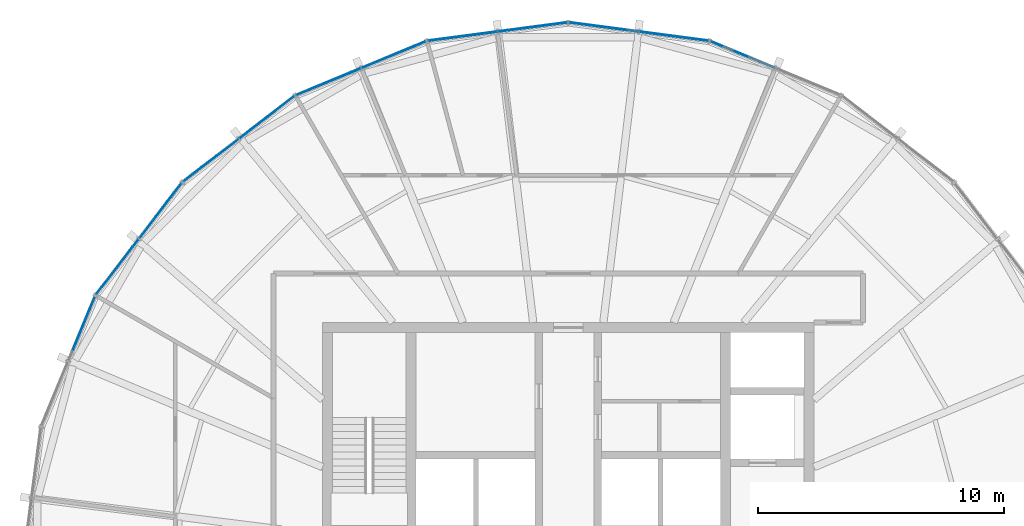
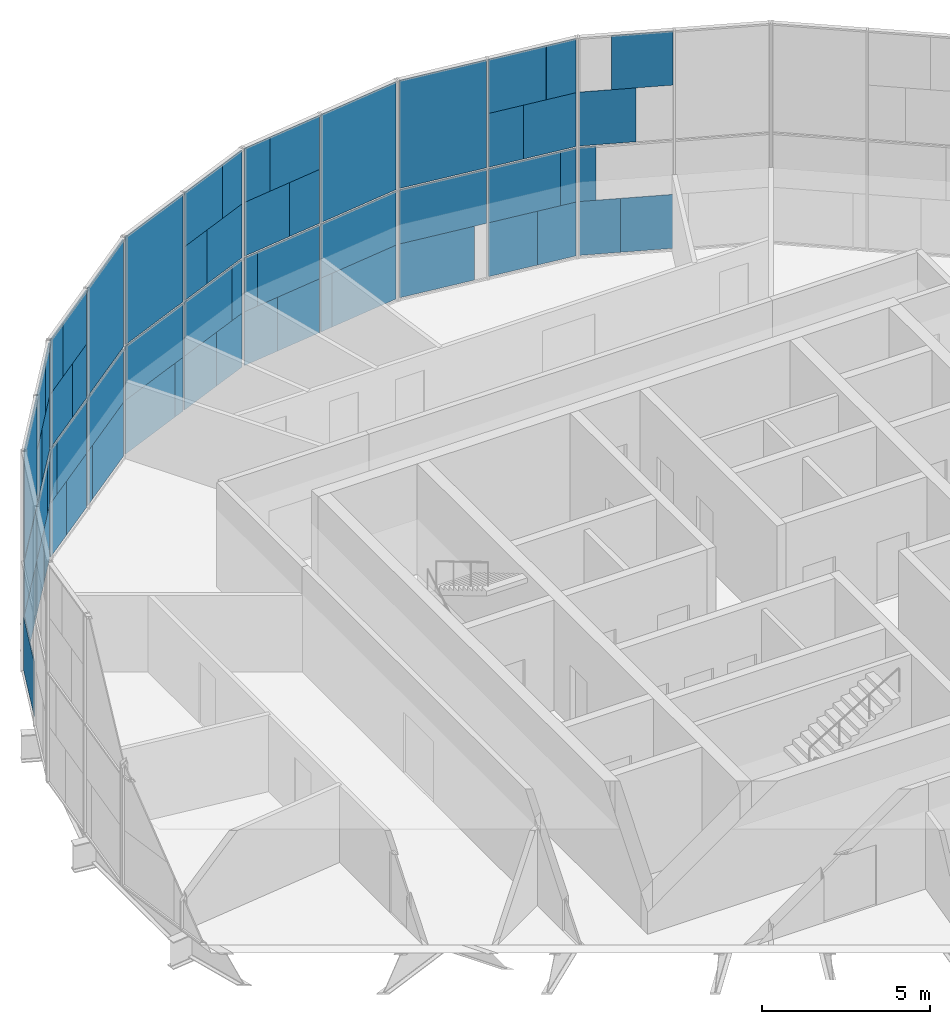
# One storey, part 14 of 19: 65 plates, 7 elements without a shape of their own.
"""IFC4 building model written with IfcOpenShell, lengths in metres."""

from ifc_helpers import new_model, si_unit, direction, frame, origin, origin_2d, place, context, subcontext, project, spatial, rectangle, extrude, material, layer, layer_set, type_object, element, aggregate, save


model = new_model("IFC4")

# Units and contexts
model_context = context("Model", 3, precision=1e-05, world=origin(), true_north=direction((0.0, 1.0)))
body_context = subcontext(model_context, "Body", "Model", "MODEL_VIEW")
ifc_project = project(units=[si_unit("LENGTHUNIT", "METRE"), si_unit("AREAUNIT", "SQUARE_METRE"), si_unit("VOLUMEUNIT", "CUBIC_METRE"), si_unit("PLANEANGLEUNIT", "RADIAN"), si_unit("MASSUNIT", "GRAM", prefix="KILO")], contexts=[model_context])

# Site, building, storey
site_placement = place(None, origin())
site = spatial("IfcSite", under=ifc_project, at=site_placement, CompositionType="ELEMENT")
building_placement = place(site_placement, origin())
building = spatial("IfcBuilding", under=site, at=building_placement, Name="Golbaran Civic Tower", CompositionType="ELEMENT")
storey_placement = place(building_placement, frame((0.0, 0.0, 256.0)))
storey = spatial("IfcBuildingStorey", under=building, at=storey_placement, Name="L62", CompositionType="ELEMENT", Elevation=256.0)

# Curtain wall, plates
ifc_material_1 = material(Name="Aluminium and glass", Category="aluminium")
curtain_wall_type = type_object("IfcCurtainWallType", Name="INNER SKIN CURTAIN WALL EXECUTIVE", PredefinedType="NOTDEFINED", material=ifc_material_1)
curtain_wall_1_placement = place(storey_placement, origin())
curtain_wall_1 = element("IfcCurtainWall", 1, at=curtain_wall_1_placement, inside=storey, type_object=curtain_wall_type, Name="Inner skin L62 facet 5 CW2", ObjectType="INNER SKIN", PredefinedType="USERDEFINED")
ifc_material_2 = material(Name="Clear insulating glass", Category="glass")
ifc_layer_1 = layer(ifc_material_2, 0.031982421875, Name="Clear insulating glass")
ifc_layer_set_1 = layer_set([ifc_layer_1], Name="Clear insulating glass")
plate_type_1 = type_object("IfcPlateType", Name="INNER SKIN CURTAIN WALL EXECUTIVE GLAZED PANEL", PredefinedType="CURTAIN_PANEL", material=ifc_layer_set_1)
plate_1_placement = place(storey_placement, frame((6.37158203125, 21.1982421875, 0.06005859375), z_axis=(0.0, 0.0, 1.0), x_axis=(-0.923879532511, 0.382683432365, 0.0)))
plate_1 = element("IfcPlate", 2, at=plate_1_placement, type_object=plate_type_1, Name="CW2 panel 2.1 part 2", PredefinedType="CURTAIN_PANEL", context=body_context, shape_type="SweptSolid", body=[
    extrude(rectangle(XDim=1.227294921875, YDim=0.031982421875, at=origin_2d()), origin(), (0.0, 0.0, 1.0), 1.955078125),
])
plate_2_placement = place(storey_placement, frame((6.02978515625, 21.33984375, 2.014892578125), z_axis=(0.0, 0.0, 1.0), x_axis=(-0.923879532511, 0.382683432365, 0.0)))
plate_2 = element("IfcPlate", 3, at=plate_2_placement, type_object=plate_type_1, Name="CW2 panel 2.1 part 4", PredefinedType="CURTAIN_PANEL", context=body_context, shape_type="SweptSolid", body=[
    extrude(rectangle(XDim=0.4873046875, YDim=0.031982421875, at=origin_2d()), origin(), (0.0, 0.0, 1.0), 1.955078125),
])
plate_3_placement = place(storey_placement, frame((7.542236328125, 20.71337890625, 5.98486328125), z_axis=(0.0, 0.0, 1.0), x_axis=(-0.923879532511, 0.382683432365, 0.0)))
plate_3 = element("IfcPlate", 4, at=plate_3_placement, type_object=plate_type_1, Name="CW2 panel 2.2 part 3", PredefinedType="CURTAIN_PANEL", context=body_context, shape_type="SweptSolid", body=[
    extrude(rectangle(XDim=1.85693359375, YDim=0.031982421875, at=origin_2d()), origin(), (0.0, 0.0, 1.0), 1.955078125),
])

curtain_wall_2_placement = place(storey_placement, origin())
curtain_wall_2 = element("IfcCurtainWall", 5, at=curtain_wall_2_placement, inside=storey, type_object=curtain_wall_type, Name="Inner skin L62 facet 6 CW2", ObjectType="INNER SKIN", PredefinedType="USERDEFINED")
plate_4_placement = place(storey_placement, frame((5.081298828125, 21.5439453125, 0.06005859375), z_axis=(0.0, 0.0, 1.0), x_axis=(-0.991444861367, 0.130526192272, 0.0)))
plate_4 = element("IfcPlate", 6, at=plate_4_placement, type_object=plate_type_1, Name="CW2 panel 1.1 part 1", PredefinedType="CURTAIN_PANEL", context=body_context, shape_type="SweptSolid", body=[
    extrude(rectangle(XDim=1.22705078125, YDim=0.031982421875, at=origin_2d()), origin(), (0.0, 0.0, 1.0), 1.955078125),
])
plate_5_placement = place(storey_placement, frame((5.44775390625, 21.495849609375, 2.014892578125), z_axis=(0.0, 0.0, 1.0), x_axis=(-0.991444861367, 0.130526192272, 0.0)))
plate_5 = element("IfcPlate", 7, at=plate_5_placement, type_object=plate_type_1, Name="CW2 panel 1.1 part 3", PredefinedType="CURTAIN_PANEL", context=body_context, shape_type="SweptSolid", body=[
    extrude(rectangle(XDim=0.488037109375, YDim=0.031982421875, at=origin_2d()), origin(), (0.0, 0.0, 1.0), 1.955078125),
])
plate_6_placement = place(storey_placement, frame((3.458251953125, 21.7578125, 4.030029296875), z_axis=(0.0, 0.0, 1.0), x_axis=(-0.991444861367, 0.130526192272, 0.0)))
plate_6 = element("IfcPlate", 8, at=plate_6_placement, type_object=plate_type_1, Name="CW2 panel 1.2 part 2", PredefinedType="CURTAIN_PANEL", context=body_context, shape_type="SweptSolid", body=[
    extrude(rectangle(XDim=1.117431640625, YDim=0.031982421875, at=origin_2d()), origin(), (0.0, 0.0, 1.0), 1.955078125),
])
plate_7_placement = place(storey_placement, frame((3.824951171875, 21.70947265625, 5.98486328125), z_axis=(0.0, 0.0, 1.0), x_axis=(-0.991444861367, 0.130526192272, 0.0)))
plate_7 = element("IfcPlate", 9, at=plate_7_placement, type_object=plate_type_1, Name="CW2 panel 1.2 part 4", PredefinedType="CURTAIN_PANEL", context=body_context, shape_type="SweptSolid", body=[
    extrude(rectangle(XDim=1.857421875, YDim=0.031982421875, at=origin_2d()), origin(), (0.0, 0.0, 1.0), 1.955078125),
])
plate_8_placement = place(storey_placement, frame((1.25390625, 22.0478515625, 0.06005859375), z_axis=(0.0, 0.0, 1.0), x_axis=(-0.991444861367, 0.130526192272, 0.0)))
plate_8 = element("IfcPlate", 10, at=plate_8_placement, type_object=plate_type_1, Name="CW2 panel 2.1 part 2", PredefinedType="CURTAIN_PANEL", context=body_context, shape_type="SweptSolid", body=[
    extrude(rectangle(XDim=2.409423828125, YDim=0.031982421875, at=origin_2d()), origin(), (0.0, 0.0, 1.0), 1.955078125),
])
plate_9_placement = place(storey_placement, frame((1.4521484375, 22.021728515625, 2.014892578125), z_axis=(0.0, 0.0, 1.0), x_axis=(-0.991444861367, 0.130526192272, 0.0)))
plate_9 = element("IfcPlate", 11, at=plate_9_placement, type_object=plate_type_1, Name="CW2 panel 2.1 part 3", PredefinedType="CURTAIN_PANEL", context=body_context, shape_type="SweptSolid", body=[
    extrude(rectangle(XDim=2.809326171875, YDim=0.031982421875, at=origin_2d()), origin(), (0.0, 0.0, 1.0), 1.955078125),
])
plate_10_placement = place(storey_placement, frame((1.4521484375, 22.021728515625, 4.0302734375), z_axis=(0.0, 0.0, 1.0), x_axis=(-0.991444861367, 0.130526192272, 0.0)))
plate_10 = element("IfcPlate", 12, at=plate_10_placement, type_object=plate_type_1, Name="CW2 panel 2.2", PredefinedType="CURTAIN_PANEL", context=body_context, shape_type="SweptSolid", body=[
    extrude(rectangle(XDim=2.809326171875, YDim=0.031982421875, at=origin_2d()), origin(), (0.0, 0.0, 1.0), 3.909912109375),
])

curtain_wall_3_placement = place(storey_placement, origin())
curtain_wall_3 = element("IfcCurtainWall", 13, at=curtain_wall_3_placement, inside=storey, type_object=curtain_wall_type, Name="Inner skin L62 facet 7 CW2", ObjectType="INNER SKIN", PredefinedType="USERDEFINED")
plate_11_placement = place(storey_placement, frame((-1.253173828125, 22.048095703125, 0.06005859375), z_axis=(0.0, 0.0, 1.0), x_axis=(-0.991444861367, -0.130526192272, 0.0)))
plate_11 = element("IfcPlate", 14, at=plate_11_placement, type_object=plate_type_1, Name="CW2 panel 1.1 part 1", PredefinedType="CURTAIN_PANEL", context=body_context, shape_type="SweptSolid", body=[
    extrude(rectangle(XDim=2.407958984375, YDim=0.031982421875, at=origin_2d()), origin(), (0.0, 0.0, 1.0), 1.955078125),
])
plate_12_placement = place(storey_placement, frame((-1.4521484375, 22.021728515625, 2.014892578125), z_axis=(0.0, 0.0, 1.0), x_axis=(-0.991444861367, -0.130526192272, 0.0)))
plate_12 = element("IfcPlate", 15, at=plate_12_placement, type_object=plate_type_1, Name="CW2 panel 1.1 part 3", PredefinedType="CURTAIN_PANEL", context=body_context, shape_type="SweptSolid", body=[
    extrude(rectangle(XDim=2.809326171875, YDim=0.031982421875, at=origin_2d()), origin(), (0.0, 0.0, 1.0), 1.955078125),
])
plate_13_placement = place(storey_placement, frame((-1.4521484375, 22.021728515625, 4.0302734375), z_axis=(0.0, 0.0, 1.0), x_axis=(-0.991444861367, -0.130526192272, 0.0)))
plate_13 = element("IfcPlate", 16, at=plate_13_placement, type_object=plate_type_1, Name="CW2 panel 1.2", PredefinedType="CURTAIN_PANEL", context=body_context, shape_type="SweptSolid", body=[
    extrude(rectangle(XDim=2.809326171875, YDim=0.031982421875, at=origin_2d()), origin(), (0.0, 0.0, 1.0), 3.909912109375),
])
plate_14_placement = place(storey_placement, frame((-5.081298828125, 21.5439453125, 0.06005859375), z_axis=(0.0, 0.0, 1.0), x_axis=(-0.991444861367, -0.130526192272, 0.0)))
plate_14 = element("IfcPlate", 17, at=plate_14_placement, type_object=plate_type_1, Name="CW2 panel 2.1 part 2", PredefinedType="CURTAIN_PANEL", context=body_context, shape_type="SweptSolid", body=[
    extrude(rectangle(XDim=1.227294921875, YDim=0.031982421875, at=origin_2d()), origin(), (0.0, 0.0, 1.0), 1.955078125),
])
plate_15_placement = place(storey_placement, frame((-5.447998046875, 21.495849609375, 2.014892578125), z_axis=(0.0, 0.0, 1.0), x_axis=(-0.991444861367, -0.130526192272, 0.0)))
plate_15 = element("IfcPlate", 18, at=plate_15_placement, type_object=plate_type_1, Name="CW2 panel 2.1 part 4", PredefinedType="CURTAIN_PANEL", context=body_context, shape_type="SweptSolid", body=[
    extrude(rectangle(XDim=0.4873046875, YDim=0.031982421875, at=origin_2d()), origin(), (0.0, 0.0, 1.0), 1.955078125),
])
plate_16_placement = place(storey_placement, frame((-3.45849609375, 21.757568359375, 4.030029296875), z_axis=(0.0, 0.0, 1.0), x_axis=(-0.991444861367, -0.130526192272, 0.0)))
plate_16 = element("IfcPlate", 19, at=plate_16_placement, type_object=plate_type_1, Name="CW2 panel 2.2 part 1", PredefinedType="CURTAIN_PANEL", context=body_context, shape_type="SweptSolid", body=[
    extrude(rectangle(XDim=1.117919921875, YDim=0.031982421875, at=origin_2d()), origin(), (0.0, 0.0, 1.0), 1.955078125),
])
plate_17_placement = place(storey_placement, frame((-3.824951171875, 21.70947265625, 5.98486328125), z_axis=(0.0, 0.0, 1.0), x_axis=(-0.991444861367, -0.130526192272, 0.0)))
plate_17 = element("IfcPlate", 20, at=plate_17_placement, type_object=plate_type_1, Name="CW2 panel 2.2 part 3", PredefinedType="CURTAIN_PANEL", context=body_context, shape_type="SweptSolid", body=[
    extrude(rectangle(XDim=1.85693359375, YDim=0.031982421875, at=origin_2d()), origin(), (0.0, 0.0, 1.0), 1.955078125),
])

curtain_wall_4_placement = place(storey_placement, origin())
curtain_wall_4 = element("IfcCurtainWall", 21, at=curtain_wall_4_placement, inside=storey, type_object=curtain_wall_type, Name="Inner skin L62 facet 8 CW2", ObjectType="INNER SKIN", PredefinedType="USERDEFINED")
plate_18_placement = place(storey_placement, frame((-6.371337890625, 21.198486328125, 0.06005859375), z_axis=(0.0, 0.0, 1.0), x_axis=(-0.923879532511, -0.382683432365, 0.0)))
plate_18 = element("IfcPlate", 22, at=plate_18_placement, type_object=plate_type_1, Name="CW2 panel 1.1 part 1", PredefinedType="CURTAIN_PANEL", context=body_context, shape_type="SweptSolid", body=[
    extrude(rectangle(XDim=1.22705078125, YDim=0.031982421875, at=origin_2d()), origin(), (0.0, 0.0, 1.0), 1.955078125),
])
plate_19_placement = place(storey_placement, frame((-6.030029296875, 21.33984375, 2.014892578125), z_axis=(0.0, 0.0, 1.0), x_axis=(-0.923879532511, -0.382683432365, 0.0)))
plate_19 = element("IfcPlate", 23, at=plate_19_placement, type_object=plate_type_1, Name="CW2 panel 1.1 part 3", PredefinedType="CURTAIN_PANEL", context=body_context, shape_type="SweptSolid", body=[
    extrude(rectangle(XDim=0.488037109375, YDim=0.031982421875, at=origin_2d()), origin(), (0.0, 0.0, 1.0), 1.955078125),
])
plate_20_placement = place(storey_placement, frame((-7.884033203125, 20.57177734375, 4.030029296875), z_axis=(0.0, 0.0, 1.0), x_axis=(-0.923879532511, -0.382683432365, 0.0)))
plate_20 = element("IfcPlate", 24, at=plate_20_placement, type_object=plate_type_1, Name="CW2 panel 1.2 part 2", PredefinedType="CURTAIN_PANEL", context=body_context, shape_type="SweptSolid", body=[
    extrude(rectangle(XDim=1.117431640625, YDim=0.031982421875, at=origin_2d()), origin(), (0.0, 0.0, 1.0), 1.955078125),
])
plate_21_placement = place(storey_placement, frame((-7.5419921875, 20.71337890625, 5.98486328125), z_axis=(0.0, 0.0, 1.0), x_axis=(-0.923879532511, -0.382683432365, 0.0)))
plate_21 = element("IfcPlate", 25, at=plate_21_placement, type_object=plate_type_1, Name="CW2 panel 1.2 part 4", PredefinedType="CURTAIN_PANEL", context=body_context, shape_type="SweptSolid", body=[
    extrude(rectangle(XDim=1.857421875, YDim=0.031982421875, at=origin_2d()), origin(), (0.0, 0.0, 1.0), 1.955078125),
])
plate_22_placement = place(storey_placement, frame((-9.93798828125, 19.720947265625, 0.06005859375), z_axis=(0.0, 0.0, 1.0), x_axis=(-0.923879532511, -0.382683432365, 0.0)))
plate_22 = element("IfcPlate", 26, at=plate_22_placement, type_object=plate_type_1, Name="CW2 panel 2.1 part 2", PredefinedType="CURTAIN_PANEL", context=body_context, shape_type="SweptSolid", body=[
    extrude(rectangle(XDim=2.409423828125, YDim=0.031982421875, at=origin_2d()), origin(), (0.0, 0.0, 1.0), 1.955078125),
])
plate_23_placement = place(storey_placement, frame((-9.75341796875, 19.797607421875, 2.014892578125), z_axis=(0.0, 0.0, 1.0), x_axis=(-0.923879532511, -0.382683432365, 0.0)))
plate_23 = element("IfcPlate", 27, at=plate_23_placement, type_object=plate_type_1, Name="CW2 panel 2.1 part 3", PredefinedType="CURTAIN_PANEL", context=body_context, shape_type="SweptSolid", body=[
    extrude(rectangle(XDim=2.809326171875, YDim=0.031982421875, at=origin_2d()), origin(), (0.0, 0.0, 1.0), 1.955078125),
])
plate_24_placement = place(storey_placement, frame((-9.75341796875, 19.797607421875, 4.0302734375), z_axis=(0.0, 0.0, 1.0), x_axis=(-0.923879532511, -0.382683432365, 0.0)))
plate_24 = element("IfcPlate", 28, at=plate_24_placement, type_object=plate_type_1, Name="CW2 panel 2.2", PredefinedType="CURTAIN_PANEL", context=body_context, shape_type="SweptSolid", body=[
    extrude(rectangle(XDim=2.809326171875, YDim=0.031982421875, at=origin_2d()), origin(), (0.0, 0.0, 1.0), 3.909912109375),
])

curtain_wall_5_placement = place(storey_placement, origin())
curtain_wall_5 = element("IfcCurtainWall", 29, at=curtain_wall_5_placement, inside=storey, type_object=curtain_wall_type, Name="Inner skin L62 facet 9 CW2", ObjectType="INNER SKIN", PredefinedType="USERDEFINED")
plate_25_placement = place(storey_placement, frame((-12.109375, 18.467529296875, 0.06005859375), z_axis=(0.0, 0.0, 1.0), x_axis=(-0.793353340238, -0.608761429078, 0.0)))
plate_25 = element("IfcPlate", 30, at=plate_25_placement, type_object=plate_type_1, Name="CW2 panel 1.1 part 1", PredefinedType="CURTAIN_PANEL", context=body_context, shape_type="SweptSolid", body=[
    extrude(rectangle(XDim=2.407958984375, YDim=0.031982421875, at=origin_2d()), origin(), (0.0, 0.0, 1.0), 1.955078125),
])
plate_26_placement = place(storey_placement, frame((-12.2685546875, 18.345458984375, 2.014892578125), z_axis=(0.0, 0.0, 1.0), x_axis=(-0.793353340238, -0.608761429078, 0.0)))
plate_26 = element("IfcPlate", 31, at=plate_26_placement, type_object=plate_type_1, Name="CW2 panel 1.1 part 3", PredefinedType="CURTAIN_PANEL", context=body_context, shape_type="SweptSolid", body=[
    extrude(rectangle(XDim=2.809326171875, YDim=0.031982421875, at=origin_2d()), origin(), (0.0, 0.0, 1.0), 1.955078125),
])
plate_27_placement = place(storey_placement, frame((-12.2685546875, 18.345458984375, 4.0302734375), z_axis=(0.0, 0.0, 1.0), x_axis=(-0.793353340238, -0.608761429078, 0.0)))
plate_27 = element("IfcPlate", 32, at=plate_27_placement, type_object=plate_type_1, Name="CW2 panel 1.2", PredefinedType="CURTAIN_PANEL", context=body_context, shape_type="SweptSolid", body=[
    extrude(rectangle(XDim=2.809326171875, YDim=0.031982421875, at=origin_2d()), origin(), (0.0, 0.0, 1.0), 3.909912109375),
])
plate_28_placement = place(storey_placement, frame((-15.172607421875, 16.1171875, 0.06005859375), z_axis=(0.0, 0.0, 1.0), x_axis=(-0.793353340238, -0.608761429078, 0.0)))
plate_28 = element("IfcPlate", 33, at=plate_28_placement, type_object=plate_type_1, Name="CW2 panel 2.1 part 2", PredefinedType="CURTAIN_PANEL", context=body_context, shape_type="SweptSolid", body=[
    extrude(rectangle(XDim=1.227294921875, YDim=0.031982421875, at=origin_2d()), origin(), (0.0, 0.0, 1.0), 1.955078125),
])
plate_29_placement = place(storey_placement, frame((-15.466064453125, 15.891845703125, 2.014892578125), z_axis=(0.0, 0.0, 1.0), x_axis=(-0.793353340238, -0.608761429078, 0.0)))
plate_29 = element("IfcPlate", 34, at=plate_29_placement, type_object=plate_type_1, Name="CW2 panel 2.1 part 4", PredefinedType="CURTAIN_PANEL", context=body_context, shape_type="SweptSolid", body=[
    extrude(rectangle(XDim=0.4873046875, YDim=0.031982421875, at=origin_2d()), origin(), (0.0, 0.0, 1.0), 1.955078125),
])
plate_30_placement = place(storey_placement, frame((-13.8740234375, 17.113525390625, 4.030029296875), z_axis=(0.0, 0.0, 1.0), x_axis=(-0.793353340238, -0.608761429078, 0.0)))
plate_30 = element("IfcPlate", 35, at=plate_30_placement, type_object=plate_type_1, Name="CW2 panel 2.2 part 1", PredefinedType="CURTAIN_PANEL", context=body_context, shape_type="SweptSolid", body=[
    extrude(rectangle(XDim=1.117919921875, YDim=0.031982421875, at=origin_2d()), origin(), (0.0, 0.0, 1.0), 1.955078125),
])
plate_31_placement = place(storey_placement, frame((-14.167236328125, 16.888427734375, 5.98486328125), z_axis=(0.0, 0.0, 1.0), x_axis=(-0.793353340238, -0.608761429078, 0.0)))
plate_31 = element("IfcPlate", 36, at=plate_31_placement, type_object=plate_type_1, Name="CW2 panel 2.2 part 3", PredefinedType="CURTAIN_PANEL", context=body_context, shape_type="SweptSolid", body=[
    extrude(rectangle(XDim=1.85693359375, YDim=0.031982421875, at=origin_2d()), origin(), (0.0, 0.0, 1.0), 1.955078125),
])

curtain_wall_6_placement = place(storey_placement, origin())
curtain_wall_6 = element("IfcCurtainWall", 37, at=curtain_wall_6_placement, inside=storey, type_object=curtain_wall_type, Name="Inner skin L62 facet 10 CW2", ObjectType="INNER SKIN", PredefinedType="USERDEFINED")
plate_32_placement = place(storey_placement, frame((-16.116943359375, 15.172607421875, 0.06005859375), z_axis=(0.0, 0.0, 1.0), x_axis=(-0.608761429078, -0.793353340238, 0.0)))
plate_32 = element("IfcPlate", 38, at=plate_32_placement, type_object=plate_type_1, Name="CW2 panel 1.1 part 1", PredefinedType="CURTAIN_PANEL", context=body_context, shape_type="SweptSolid", body=[
    extrude(rectangle(XDim=1.22705078125, YDim=0.031982421875, at=origin_2d()), origin(), (0.0, 0.0, 1.0), 1.955078125),
])
plate_33_placement = place(storey_placement, frame((-15.89208984375, 15.4658203125, 2.014892578125), z_axis=(0.0, 0.0, 1.0), x_axis=(-0.608761429078, -0.793353340238, 0.0)))
plate_33 = element("IfcPlate", 39, at=plate_33_placement, type_object=plate_type_1, Name="CW2 panel 1.1 part 3", PredefinedType="CURTAIN_PANEL", context=body_context, shape_type="SweptSolid", body=[
    extrude(rectangle(XDim=0.488037109375, YDim=0.031982421875, at=origin_2d()), origin(), (0.0, 0.0, 1.0), 1.955078125),
])
plate_34_placement = place(storey_placement, frame((-17.113525390625, 13.873779296875, 4.030029296875), z_axis=(0.0, 0.0, 1.0), x_axis=(-0.608761429078, -0.793353340238, 0.0)))
plate_34 = element("IfcPlate", 40, at=plate_34_placement, type_object=plate_type_1, Name="CW2 panel 1.2 part 2", PredefinedType="CURTAIN_PANEL", context=body_context, shape_type="SweptSolid", body=[
    extrude(rectangle(XDim=1.117431640625, YDim=0.031982421875, at=origin_2d()), origin(), (0.0, 0.0, 1.0), 1.955078125),
])
plate_35_placement = place(storey_placement, frame((-16.888427734375, 14.167236328125, 5.98486328125), z_axis=(0.0, 0.0, 1.0), x_axis=(-0.608761429078, -0.793353340238, 0.0)))
plate_35 = element("IfcPlate", 41, at=plate_35_placement, type_object=plate_type_1, Name="CW2 panel 1.2 part 4", PredefinedType="CURTAIN_PANEL", context=body_context, shape_type="SweptSolid", body=[
    extrude(rectangle(XDim=1.857421875, YDim=0.031982421875, at=origin_2d()), origin(), (0.0, 0.0, 1.0), 1.955078125),
])
plate_36_placement = place(storey_placement, frame((-18.467041015625, 12.10986328125, 0.06005859375), z_axis=(0.0, 0.0, 1.0), x_axis=(-0.608761429078, -0.793353340238, 0.0)))
plate_36 = element("IfcPlate", 42, at=plate_36_placement, type_object=plate_type_1, Name="CW2 panel 2.1 part 2", PredefinedType="CURTAIN_PANEL", context=body_context, shape_type="SweptSolid", body=[
    extrude(rectangle(XDim=2.409423828125, YDim=0.031982421875, at=origin_2d()), origin(), (0.0, 0.0, 1.0), 1.955078125),
])
plate_37_placement = place(storey_placement, frame((-18.345458984375, 12.2685546875, 2.014892578125), z_axis=(0.0, 0.0, 1.0), x_axis=(-0.608761429078, -0.793353340238, 0.0)))
plate_37 = element("IfcPlate", 43, at=plate_37_placement, type_object=plate_type_1, Name="CW2 panel 2.1 part 3", PredefinedType="CURTAIN_PANEL", context=body_context, shape_type="SweptSolid", body=[
    extrude(rectangle(XDim=2.809326171875, YDim=0.031982421875, at=origin_2d()), origin(), (0.0, 0.0, 1.0), 1.955078125),
])
plate_38_placement = place(storey_placement, frame((-18.345458984375, 12.2685546875, 4.0302734375), z_axis=(0.0, 0.0, 1.0), x_axis=(-0.608761429078, -0.793353340238, 0.0)))
plate_38 = element("IfcPlate", 44, at=plate_38_placement, type_object=plate_type_1, Name="CW2 panel 2.2", PredefinedType="CURTAIN_PANEL", context=body_context, shape_type="SweptSolid", body=[
    extrude(rectangle(XDim=2.809326171875, YDim=0.031982421875, at=origin_2d()), origin(), (0.0, 0.0, 1.0), 3.909912109375),
])

# Curtain wall, plate
curtain_wall_7_placement = place(storey_placement, origin())
curtain_wall_7 = element("IfcCurtainWall", 45, at=curtain_wall_7_placement, inside=storey, type_object=curtain_wall_type, Name="Inner skin L62 facet 11 CW2", ObjectType="INNER SKIN", PredefinedType="USERDEFINED")
plate_39_placement = place(storey_placement, frame((-19.720703125, 9.938720703125, 0.06005859375), z_axis=(0.0, 0.0, 1.0), x_axis=(-0.382683432365, -0.923879532511, 0.0)))
plate_39 = element("IfcPlate", 46, at=plate_39_placement, type_object=plate_type_1, Name="CW2 panel 1.1 part 1", PredefinedType="CURTAIN_PANEL", context=body_context, shape_type="SweptSolid", body=[
    extrude(rectangle(XDim=2.407958984375, YDim=0.031982421875, at=origin_2d()), origin(), (0.0, 0.0, 1.0), 1.955078125),
])
aggregate(curtain_wall_7, [plate_39])

# Plate
ifc_material_3 = material(Name="Aluminium faced opaque infill panel", Category="aluminium")
ifc_layer_2 = layer(ifc_material_3, 0.031982421875, Name="Aluminium faced opaque infill panel")
ifc_layer_set_2 = layer_set([ifc_layer_2], Name="Aluminium faced opaque infill panel")
plate_type_2 = type_object("IfcPlateType", Name="INNER SKIN CURTAIN WALL EXECUTIVE OPAQUE INFILL PANEL", PredefinedType="CURTAIN_PANEL", material=ifc_layer_set_2)
plate_40_placement = place(storey_placement, frame((7.66943359375, 20.66064453125, 0.06005859375), z_axis=(0.0, 0.0, 1.0), x_axis=(-0.923879532511, 0.382683432365, 0.0)))
plate_40 = element("IfcPlate", 47, at=plate_40_placement, type_object=plate_type_2, Name="CW2 infill panel 2.1 part 1", PredefinedType="CURTAIN_PANEL", context=body_context, shape_type="SweptSolid", body=[
    extrude(rectangle(XDim=1.58203125, YDim=0.031982421875, at=origin_2d()), origin(), (0.0, 0.0, 1.0), 1.955078125),
])

plate_41_placement = place(storey_placement, frame((6.5859375, 21.109619140625, 4.030029296875), z_axis=(0.0, 0.0, 1.0), x_axis=(-0.923879532511, 0.382683432365, 0.0)))
plate_41 = element("IfcPlate", 48, at=plate_41_placement, type_object=plate_type_2, Name="CW2 infill panel 2.2 part 2", PredefinedType="CURTAIN_PANEL", context=body_context, shape_type="SweptSolid", body=[
    extrude(rectangle(XDim=1.69140625, YDim=0.031982421875, at=origin_2d()), origin(), (0.0, 0.0, 1.0), 1.955078125),
])

aggregate(curtain_wall_1, [plate_40, plate_1, plate_2, plate_41, plate_3])

plate_42_placement = place(storey_placement, frame((3.688720703125, 21.727294921875, 0.06005859375), z_axis=(0.0, 0.0, 1.0), x_axis=(-0.991444861367, 0.130526192272, 0.0)))
plate_42 = element("IfcPlate", 49, at=plate_42_placement, type_object=plate_type_2, Name="CW2 infill panel 1.1 part 2", PredefinedType="CURTAIN_PANEL", context=body_context, shape_type="SweptSolid", body=[
    extrude(rectangle(XDim=1.582275390625, YDim=0.031982421875, at=origin_2d()), origin(), (0.0, 0.0, 1.0), 1.955078125),
])

plate_43_placement = place(storey_placement, frame((4.05517578125, 21.67919921875, 2.014892578125), z_axis=(0.0, 0.0, 1.0), x_axis=(-0.991444861367, 0.130526192272, 0.0)))
plate_43 = element("IfcPlate", 50, at=plate_43_placement, type_object=plate_type_2, Name="CW2 infill panel 1.1 part 4", PredefinedType="CURTAIN_PANEL", context=body_context, shape_type="SweptSolid", body=[
    extrude(rectangle(XDim=2.3212890625, YDim=0.031982421875, at=origin_2d()), origin(), (0.0, 0.0, 1.0), 1.955078125),
])

plate_44_placement = place(storey_placement, frame((4.850830078125, 21.574462890625, 4.030029296875), z_axis=(0.0, 0.0, 1.0), x_axis=(-0.991444861367, 0.130526192272, 0.0)))
plate_44 = element("IfcPlate", 51, at=plate_44_placement, type_object=plate_type_2, Name="CW2 infill panel 1.2 part 1", PredefinedType="CURTAIN_PANEL", context=body_context, shape_type="SweptSolid", body=[
    extrude(rectangle(XDim=1.69189453125, YDim=0.031982421875, at=origin_2d()), origin(), (0.0, 0.0, 1.0), 1.955078125),
])

plate_45_placement = place(storey_placement, frame((5.2177734375, 21.526123046875, 5.98486328125), z_axis=(0.0, 0.0, 1.0), x_axis=(-0.991444861367, 0.130526192272, 0.0)))
plate_45 = element("IfcPlate", 52, at=plate_45_placement, type_object=plate_type_2, Name="CW2 infill panel 1.2 part 3", PredefinedType="CURTAIN_PANEL", context=body_context, shape_type="SweptSolid", body=[
    extrude(rectangle(XDim=0.951904296875, YDim=0.031982421875, at=origin_2d()), origin(), (0.0, 0.0, 1.0), 1.955078125),
])

aggregate(curtain_wall_2, [plate_4, plate_42, plate_5, plate_43, plate_44, plate_6, plate_45, plate_7, plate_8, plate_9, plate_10])

plate_46_placement = place(storey_placement, frame((-2.645751953125, 21.86474609375, 0.06005859375), z_axis=(0.0, 0.0, 1.0), x_axis=(-0.991444861367, -0.130526192272, 0.0)))
plate_46 = element("IfcPlate", 53, at=plate_46_placement, type_object=plate_type_2, Name="CW2 infill panel 1.1 part 2", PredefinedType="CURTAIN_PANEL", context=body_context, shape_type="SweptSolid", body=[
    extrude(rectangle(XDim=0.4013671875, YDim=0.031982421875, at=origin_2d()), origin(), (0.0, 0.0, 1.0), 1.955078125),
])

plate_47_placement = place(storey_placement, frame((-3.6884765625, 21.727294921875, 0.06005859375), z_axis=(0.0, 0.0, 1.0), x_axis=(-0.991444861367, -0.130526192272, 0.0)))
plate_47 = element("IfcPlate", 54, at=plate_47_placement, type_object=plate_type_2, Name="CW2 infill panel 2.1 part 1", PredefinedType="CURTAIN_PANEL", context=body_context, shape_type="SweptSolid", body=[
    extrude(rectangle(XDim=1.58203125, YDim=0.031982421875, at=origin_2d()), origin(), (0.0, 0.0, 1.0), 1.955078125),
])

plate_48_placement = place(storey_placement, frame((-4.055419921875, 21.67919921875, 2.014892578125), z_axis=(0.0, 0.0, 1.0), x_axis=(-0.991444861367, -0.130526192272, 0.0)))
plate_48 = element("IfcPlate", 55, at=plate_48_placement, type_object=plate_type_2, Name="CW2 infill panel 2.1 part 3", PredefinedType="CURTAIN_PANEL", context=body_context, shape_type="SweptSolid", body=[
    extrude(rectangle(XDim=2.322021484375, YDim=0.031982421875, at=origin_2d()), origin(), (0.0, 0.0, 1.0), 1.955078125),
])

plate_49_placement = place(storey_placement, frame((-4.851318359375, 21.57421875, 4.030029296875), z_axis=(0.0, 0.0, 1.0), x_axis=(-0.991444861367, -0.130526192272, 0.0)))
plate_49 = element("IfcPlate", 56, at=plate_49_placement, type_object=plate_type_2, Name="CW2 infill panel 2.2 part 2", PredefinedType="CURTAIN_PANEL", context=body_context, shape_type="SweptSolid", body=[
    extrude(rectangle(XDim=1.69140625, YDim=0.031982421875, at=origin_2d()), origin(), (0.0, 0.0, 1.0), 1.955078125),
])

plate_50_placement = place(storey_placement, frame((-5.217529296875, 21.526123046875, 5.98486328125), z_axis=(0.0, 0.0, 1.0), x_axis=(-0.991444861367, -0.130526192272, 0.0)))
plate_50 = element("IfcPlate", 57, at=plate_50_placement, type_object=plate_type_2, Name="CW2 infill panel 2.2 part 4", PredefinedType="CURTAIN_PANEL", context=body_context, shape_type="SweptSolid", body=[
    extrude(rectangle(XDim=0.952392578125, YDim=0.031982421875, at=origin_2d()), origin(), (0.0, 0.0, 1.0), 1.955078125),
])

aggregate(curtain_wall_3, [plate_11, plate_46, plate_12, plate_13, plate_47, plate_14, plate_48, plate_15, plate_16, plate_49, plate_17, plate_50])

plate_51_placement = place(storey_placement, frame((-7.669189453125, 20.660888671875, 0.06005859375), z_axis=(0.0, 0.0, 1.0), x_axis=(-0.923879532511, -0.382683432365, 0.0)))
plate_51 = element("IfcPlate", 58, at=plate_51_placement, type_object=plate_type_2, Name="CW2 infill panel 1.1 part 2", PredefinedType="CURTAIN_PANEL", context=body_context, shape_type="SweptSolid", body=[
    extrude(rectangle(XDim=1.582275390625, YDim=0.031982421875, at=origin_2d()), origin(), (0.0, 0.0, 1.0), 1.955078125),
])

plate_52_placement = place(storey_placement, frame((-7.327880859375, 20.80224609375, 2.014892578125), z_axis=(0.0, 0.0, 1.0), x_axis=(-0.923879532511, -0.382683432365, 0.0)))
plate_52 = element("IfcPlate", 59, at=plate_52_placement, type_object=plate_type_2, Name="CW2 infill panel 1.1 part 4", PredefinedType="CURTAIN_PANEL", context=body_context, shape_type="SweptSolid", body=[
    extrude(rectangle(XDim=2.3212890625, YDim=0.031982421875, at=origin_2d()), origin(), (0.0, 0.0, 1.0), 1.955078125),
])

plate_53_placement = place(storey_placement, frame((-6.586181640625, 21.109375, 4.030029296875), z_axis=(0.0, 0.0, 1.0), x_axis=(-0.923879532511, -0.382683432365, 0.0)))
plate_53 = element("IfcPlate", 60, at=plate_53_placement, type_object=plate_type_2, Name="CW2 infill panel 1.2 part 1", PredefinedType="CURTAIN_PANEL", context=body_context, shape_type="SweptSolid", body=[
    extrude(rectangle(XDim=1.69189453125, YDim=0.031982421875, at=origin_2d()), origin(), (0.0, 0.0, 1.0), 1.955078125),
])

plate_54_placement = place(storey_placement, frame((-6.244384765625, 21.2509765625, 5.98486328125), z_axis=(0.0, 0.0, 1.0), x_axis=(-0.923879532511, -0.382683432365, 0.0)))
plate_54 = element("IfcPlate", 61, at=plate_54_placement, type_object=plate_type_2, Name="CW2 infill panel 1.2 part 3", PredefinedType="CURTAIN_PANEL", context=body_context, shape_type="SweptSolid", body=[
    extrude(rectangle(XDim=0.951904296875, YDim=0.031982421875, at=origin_2d()), origin(), (0.0, 0.0, 1.0), 1.955078125),
])

plate_55_placement = place(storey_placement, frame((-8.640380859375, 20.258544921875, 0.06005859375), z_axis=(0.0, 0.0, 1.0), x_axis=(-0.923879532511, -0.382683432365, 0.0)))
plate_55 = element("IfcPlate", 62, at=plate_55_placement, type_object=plate_type_2, Name="CW2 infill panel 2.1 part 1", PredefinedType="CURTAIN_PANEL", context=body_context, shape_type="SweptSolid", body=[
    extrude(rectangle(XDim=0.39990234375, YDim=0.031982421875, at=origin_2d()), origin(), (0.0, 0.0, 1.0), 1.955078125),
])

aggregate(curtain_wall_4, [plate_18, plate_51, plate_19, plate_52, plate_53, plate_20, plate_54, plate_21, plate_55, plate_22, plate_23, plate_24])

plate_56_placement = place(storey_placement, frame((-13.2236328125, 17.612548828125, 0.06005859375), z_axis=(0.0, 0.0, 1.0), x_axis=(-0.793353340238, -0.608761429078, 0.0)))
plate_56 = element("IfcPlate", 63, at=plate_56_placement, type_object=plate_type_2, Name="CW2 infill panel 1.1 part 2", PredefinedType="CURTAIN_PANEL", context=body_context, shape_type="SweptSolid", body=[
    extrude(rectangle(XDim=0.4013671875, YDim=0.031982421875, at=origin_2d()), origin(), (0.0, 0.0, 1.0), 1.955078125),
])

plate_57_placement = place(storey_placement, frame((-14.05810546875, 16.97216796875, 0.06005859375), z_axis=(0.0, 0.0, 1.0), x_axis=(-0.793353340238, -0.608761429078, 0.0)))
plate_57 = element("IfcPlate", 64, at=plate_57_placement, type_object=plate_type_2, Name="CW2 infill panel 2.1 part 1", PredefinedType="CURTAIN_PANEL", context=body_context, shape_type="SweptSolid", body=[
    extrude(rectangle(XDim=1.58203125, YDim=0.031982421875, at=origin_2d()), origin(), (0.0, 0.0, 1.0), 1.955078125),
])

plate_58_placement = place(storey_placement, frame((-14.3515625, 16.7470703125, 2.014892578125), z_axis=(0.0, 0.0, 1.0), x_axis=(-0.793353340238, -0.608761429078, 0.0)))
plate_58 = element("IfcPlate", 65, at=plate_58_placement, type_object=plate_type_2, Name="CW2 infill panel 2.1 part 3", PredefinedType="CURTAIN_PANEL", context=body_context, shape_type="SweptSolid", body=[
    extrude(rectangle(XDim=2.322021484375, YDim=0.031982421875, at=origin_2d()), origin(), (0.0, 0.0, 1.0), 1.955078125),
])

plate_59_placement = place(storey_placement, frame((-14.988525390625, 16.25830078125, 4.030029296875), z_axis=(0.0, 0.0, 1.0), x_axis=(-0.793353340238, -0.608761429078, 0.0)))
plate_59 = element("IfcPlate", 66, at=plate_59_placement, type_object=plate_type_2, Name="CW2 infill panel 2.2 part 2", PredefinedType="CURTAIN_PANEL", context=body_context, shape_type="SweptSolid", body=[
    extrude(rectangle(XDim=1.69140625, YDim=0.031982421875, at=origin_2d()), origin(), (0.0, 0.0, 1.0), 1.955078125),
])

plate_60_placement = place(storey_placement, frame((-15.281494140625, 16.033447265625, 5.98486328125), z_axis=(0.0, 0.0, 1.0), x_axis=(-0.793353340238, -0.608761429078, 0.0)))
plate_60 = element("IfcPlate", 67, at=plate_60_placement, type_object=plate_type_2, Name="CW2 infill panel 2.2 part 4", PredefinedType="CURTAIN_PANEL", context=body_context, shape_type="SweptSolid", body=[
    extrude(rectangle(XDim=0.952392578125, YDim=0.031982421875, at=origin_2d()), origin(), (0.0, 0.0, 1.0), 1.955078125),
])

aggregate(curtain_wall_5, [plate_25, plate_56, plate_26, plate_27, plate_57, plate_28, plate_58, plate_29, plate_30, plate_59, plate_31, plate_60])

plate_61_placement = place(storey_placement, frame((-16.97216796875, 14.05810546875, 0.06005859375), z_axis=(0.0, 0.0, 1.0), x_axis=(-0.608761429078, -0.793353340238, 0.0)))
plate_61 = element("IfcPlate", 68, at=plate_61_placement, type_object=plate_type_2, Name="CW2 infill panel 1.1 part 2", PredefinedType="CURTAIN_PANEL", context=body_context, shape_type="SweptSolid", body=[
    extrude(rectangle(XDim=1.582275390625, YDim=0.031982421875, at=origin_2d()), origin(), (0.0, 0.0, 1.0), 1.955078125),
])

plate_62_placement = place(storey_placement, frame((-16.7470703125, 14.351318359375, 2.014892578125), z_axis=(0.0, 0.0, 1.0), x_axis=(-0.608761429078, -0.793353340238, 0.0)))
plate_62 = element("IfcPlate", 69, at=plate_62_placement, type_object=plate_type_2, Name="CW2 infill panel 1.1 part 4", PredefinedType="CURTAIN_PANEL", context=body_context, shape_type="SweptSolid", body=[
    extrude(rectangle(XDim=2.3212890625, YDim=0.031982421875, at=origin_2d()), origin(), (0.0, 0.0, 1.0), 1.955078125),
])

plate_63_placement = place(storey_placement, frame((-16.258544921875, 14.98828125, 4.030029296875), z_axis=(0.0, 0.0, 1.0), x_axis=(-0.608761429078, -0.793353340238, 0.0)))
plate_63 = element("IfcPlate", 70, at=plate_63_placement, type_object=plate_type_2, Name="CW2 infill panel 1.2 part 1", PredefinedType="CURTAIN_PANEL", context=body_context, shape_type="SweptSolid", body=[
    extrude(rectangle(XDim=1.69189453125, YDim=0.031982421875, at=origin_2d()), origin(), (0.0, 0.0, 1.0), 1.955078125),
])

plate_64_placement = place(storey_placement, frame((-16.033203125, 15.28173828125, 5.98486328125), z_axis=(0.0, 0.0, 1.0), x_axis=(-0.608761429078, -0.793353340238, 0.0)))
plate_64 = element("IfcPlate", 71, at=plate_64_placement, type_object=plate_type_2, Name="CW2 infill panel 1.2 part 3", PredefinedType="CURTAIN_PANEL", context=body_context, shape_type="SweptSolid", body=[
    extrude(rectangle(XDim=0.951904296875, YDim=0.031982421875, at=origin_2d()), origin(), (0.0, 0.0, 1.0), 1.955078125),
])

plate_65_placement = place(storey_placement, frame((-17.612060546875, 13.224365234375, 0.06005859375), z_axis=(0.0, 0.0, 1.0), x_axis=(-0.608761429078, -0.793353340238, 0.0)))
plate_65 = element("IfcPlate", 72, at=plate_65_placement, type_object=plate_type_2, Name="CW2 infill panel 2.1 part 1", PredefinedType="CURTAIN_PANEL", context=body_context, shape_type="SweptSolid", body=[
    extrude(rectangle(XDim=0.39990234375, YDim=0.031982421875, at=origin_2d()), origin(), (0.0, 0.0, 1.0), 1.955078125),
])

aggregate(curtain_wall_6, [plate_32, plate_61, plate_33, plate_62, plate_63, plate_34, plate_64, plate_35, plate_65, plate_36, plate_37, plate_38])

save(model, "model.ifc")
